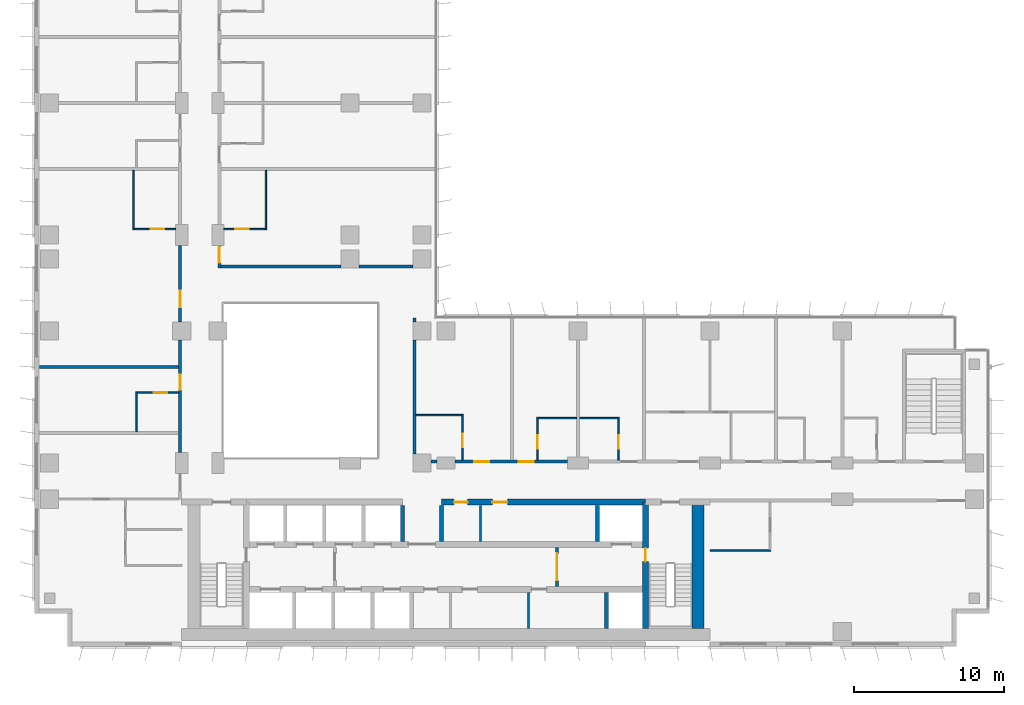
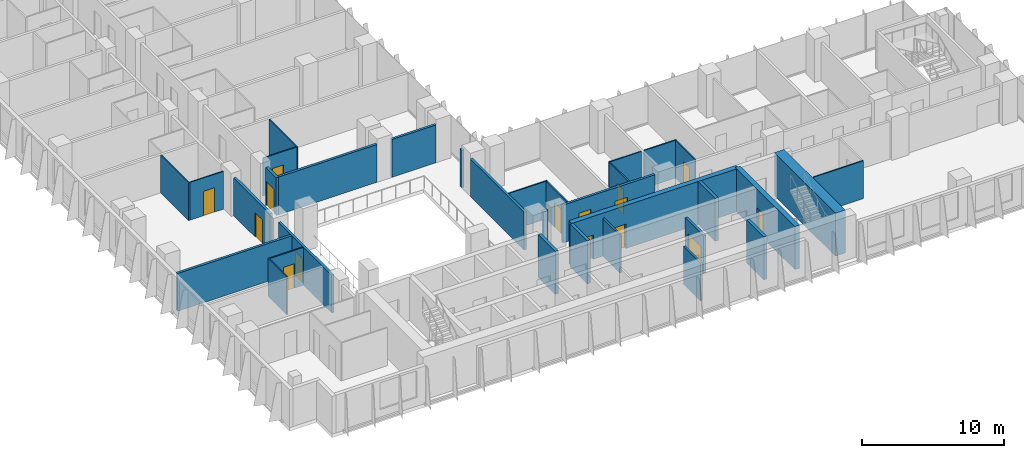
# One storey, part 13 of 22: 33 walls, 15 doors, 15 openings.
"""IFC4 building model written with IfcOpenShell, lengths in metres."""

import ifcopenshell
import ifcopenshell.guid

model = None  # the IFC model being written
_history = None  # IfcOwnerHistory: only IFC2X3 demands one
_inside = {}  # id of a spatial element -> (the spatial element, [elements in it])
_under = {}  # id of a project, library or spatial element -> (it, [spatial elements below it])
_declared = {}  # id of a project -> (the project, [libraries it declares])
_typed = {}  # id of a type object -> (the type object, [elements of that type])
_made_of = {}  # id of a material, layer set ... -> (it, [elements and type objects made of it])


def new_model(schema):
    """Start an empty IFC model of exactly this schema.

    Asked for "IFC4X3", IfcOpenShell would pick the latest addendum, in which some entities
    have other attributes; the version numbers below select the first issue.
    IFC2X3 requires an IfcOwnerHistory on every rooted entity: one is made here for all.
    """
    global model, _history
    if schema == "IFC4X3":
        model = ifcopenshell.file(schema_version=(4, 3, 0, 0))
    else:
        model = ifcopenshell.file(schema=schema)
    _inside.clear()
    _under.clear()
    _declared.clear()
    _typed.clear()
    _made_of.clear()
    _history = None
    if model.schema == "IFC2X3":
        org = make("IfcOrganization", Name="unknown")
        user = make(
            "IfcPersonAndOrganization",
            ThePerson=make("IfcPerson", FamilyName="unknown"),
            TheOrganization=org,
        )
        app = make(
            "IfcApplication",
            ApplicationDeveloper=org,
            Version="unknown",
            ApplicationFullName="unknown",
            ApplicationIdentifier="unknown",
        )
        _history = make(
            "IfcOwnerHistory",
            OwningUser=user,
            OwningApplication=app,
            ChangeAction="ADDED",
            CreationDate=0,
        )
    return model


def make(cls, **values):
    """One entity of the class cls with the attributes given. An attribute that is None is left unset."""
    return model.create_entity(
        cls, **{name: value for name, value in values.items() if value is not None}
    )


def rooted(cls, **values):
    """An entity with a GlobalId (a new one), such as an element, a storey or a relation."""
    return make(cls, GlobalId=ifcopenshell.guid.new(), OwnerHistory=_history, **values)


def si_unit(unit_type, name, prefix=None):
    """IfcSIUnit, for example si_unit("LENGTHUNIT", "METRE", prefix="MILLI")."""
    return make("IfcSIUnit", UnitType=unit_type, Prefix=prefix, Name=name)


def assignment(units):
    """IfcUnitAssignment: the units of a project."""
    return None if units is None else make("IfcUnitAssignment", Units=units)


def point(xyz):
    """IfcCartesianPoint."""
    return None if xyz is None else make("IfcCartesianPoint", Coordinates=xyz)


def direction(xyz):
    """IfcDirection."""
    return None if xyz is None else make("IfcDirection", DirectionRatios=xyz)


def frame(location, z_axis=None, x_axis=None):
    """IfcAxis2Placement3D, a coordinate frame: its origin and axes. An axis left out is left unset."""
    return make(
        "IfcAxis2Placement3D",
        Location=point(location),
        Axis=direction(z_axis),
        RefDirection=direction(x_axis),
    )


def frame_2d(location, x_axis=None):
    """IfcAxis2Placement2D, a coordinate frame in the plane: its origin and x axis."""
    return make(
        "IfcAxis2Placement2D", Location=point(location), RefDirection=direction(x_axis)
    )


def origin():
    """The frame at (0, 0, 0) with its axes left unset."""
    return frame((0.0, 0.0, 0.0))


def place(relative_to, where):
    """IfcLocalPlacement: puts the frame where relative to a parent placement (None: the world)."""
    return make(
        "IfcLocalPlacement", PlacementRelTo=relative_to, RelativePlacement=where
    )


def context(
    kind, dimensions, precision=None, world=None, true_north=None, identifier=None
):
    """IfcGeometricRepresentationContext, for example the 3D "Model" context."""
    return make(
        "IfcGeometricRepresentationContext",
        ContextIdentifier=identifier,
        ContextType=kind,
        CoordinateSpaceDimension=dimensions,
        Precision=precision,
        WorldCoordinateSystem=world,
        TrueNorth=true_north,
    )


def subcontext(parent, identifier, kind, view, scale=None):
    """IfcGeometricRepresentationSubContext, for example "Body" below "Model"."""
    return make(
        "IfcGeometricRepresentationSubContext",
        ContextIdentifier=identifier,
        ContextType=kind,
        ParentContext=parent,
        TargetScale=scale,
        TargetView=view,
    )


def project(units=None, contexts=None):
    """IfcProject with its units and contexts."""
    return rooted(
        "IfcProject",
        Name="project",
        RepresentationContexts=contexts,
        UnitsInContext=assignment(units),
    )


def spatial(cls, under=None, at=None, **own):
    """A site, building, storey or space (cls), placed at a placement, below another one or the project."""
    s = rooted(cls, ObjectPlacement=at, **own)
    if under is not None:
        _under.setdefault(under.id(), (under, []))[1].append(s)
    return s


def profile(cls, at=None, kind="AREA", **sizes):
    """A parametric profile (cls). Its sizes go by their IFC names, for example OverallWidth=200.0."""
    return make(cls, ProfileType=kind, Position=at, **sizes)


def rectangle(**sizes):
    """IfcRectangleProfileDef."""
    return profile("IfcRectangleProfileDef", **sizes)


def extrude(swept, where, along, depth):
    """IfcExtrudedAreaSolid: the profile swept, set in the frame where, extruded along a direction by depth."""
    return make(
        "IfcExtrudedAreaSolid",
        SweptArea=swept,
        Position=where,
        ExtrudedDirection=direction(along),
        Depth=depth,
    )


def shape(context_of_items, identifier, shape_type, items):
    """IfcShapeRepresentation: the items that make up one representation, for example the "Body"."""
    return make(
        "IfcShapeRepresentation",
        ContextOfItems=context_of_items,
        RepresentationIdentifier=identifier,
        RepresentationType=shape_type,
        Items=items,
    )


def material(Name=None, Category=None):
    """IfcMaterial."""
    return make("IfcMaterial", Name=Name, Category=Category)


def layer(
    of_material, thickness, ventilated=None, Name=None, Category=None, Priority=None
):
    """IfcMaterialLayer: one layer of a wall or slab, of a material (None: an air gap)."""
    return make(
        "IfcMaterialLayer",
        Material=of_material,
        LayerThickness=thickness,
        IsVentilated=ventilated,
        Name=Name,
        Category=Category,
        Priority=Priority,
    )


def layer_set(layers, Name=None):
    """IfcMaterialLayerSet."""
    return make("IfcMaterialLayerSet", MaterialLayers=layers, LayerSetName=Name)


def made_of(thing, what):
    """Note that an element or type object is made of a material, layer set ...; save() writes the relation."""
    if what is not None:
        _made_of.setdefault(what.id(), (what, []))[1].append(thing)
    return thing


def type_object(cls, material=None, **own):
    """A type object (cls), such as IfcWallType, which elements share."""
    return made_of(rooted(cls, **own), material)


def element(
    cls,
    number,
    at=None,
    inside=None,
    cuts=None,
    type_object=None,
    material=None,
    context=None,
    identifier="Body",
    shape_type=None,
    held_by="IfcProductDefinitionShape",
    body=None,
    shapes=None,
    **own,
):
    """One element of the class cls, such as IfcWall. Its Tag is "e" and its number.

    at: its placement. inside: the storey or other place that contains it. cuts: it is an
    opening in that element (IfcRelVoidsElement). A single representation is given by context,
    identifier, shape_type and body (its items); several are given by shapes. held_by: the class
    of the entity that holds the representations. save() writes the other relations.
    """
    e = rooted(cls, Tag="e%d" % number, ObjectPlacement=at, **own)
    if body is not None:
        shapes = [shape(context, identifier, shape_type, body)]
    if shapes is not None:
        e.Representation = make(held_by, Representations=shapes)
    if inside is not None:
        _inside.setdefault(inside.id(), (inside, []))[1].append(e)
    if cuts is not None:
        rooted(
            "IfcRelVoidsElement", RelatingBuildingElement=cuts, RelatedOpeningElement=e
        )
    if type_object is not None:
        _typed.setdefault(type_object.id(), (type_object, []))[1].append(e)
    return made_of(e, material)


def fill(opening, filler):
    """IfcRelFillsElement: the door or window that sits in an opening."""
    return rooted(
        "IfcRelFillsElement",
        RelatingOpeningElement=opening,
        RelatedBuildingElement=filler,
    )


def aggregate(whole, parts):
    """IfcRelAggregates: a whole, such as a stair, and the parts it consists of."""
    return rooted("IfcRelAggregates", RelatingObject=whole, RelatedObjects=parts)


def save(model, path):
    """Write the relations noted so far, then the file.

    IfcRelAggregates (storeys below a building ...), IfcRelContainedInSpatialStructure (elements
    in a storey), IfcRelDefinesByType, IfcRelAssociatesMaterial and IfcRelDeclares: one each for
    every whole, place, type object, material and project.
    """
    for whole, parts in _under.values():
        aggregate(whole, parts)
    for where, things in _inside.values():
        rooted(
            "IfcRelContainedInSpatialStructure",
            RelatedElements=things,
            RelatingStructure=where,
        )
    for kind, things in _typed.values():
        rooted("IfcRelDefinesByType", RelatedObjects=things, RelatingType=kind)
    for what, things in _made_of.values():
        rooted("IfcRelAssociatesMaterial", RelatedObjects=things, RelatingMaterial=what)
    for by, libraries in _declared.values():
        rooted("IfcRelDeclares", RelatingContext=by, RelatedDefinitions=libraries)
    model.write(path)


model = new_model("IFC4")

# Units and contexts
model_context = context("Model", 3, precision=1e-05, world=origin(), true_north=direction((0.0, 1.0)))
body_context = subcontext(model_context, "Body", "Model", "MODEL_VIEW")
ifc_project = project(units=[si_unit("LENGTHUNIT", "METRE"), si_unit("AREAUNIT", "SQUARE_METRE"), si_unit("VOLUMEUNIT", "CUBIC_METRE"), si_unit("PLANEANGLEUNIT", "RADIAN"), si_unit("MASSUNIT", "GRAM", prefix="KILO")], contexts=[model_context])

# Site, building, storey
site_placement = place(None, origin())
site = spatial("IfcSite", under=ifc_project, at=site_placement, CompositionType="ELEMENT")
building_placement = place(site_placement, origin())
building = spatial("IfcBuilding", under=site, at=building_placement, Name="Kemantara Hotel Tower", CompositionType="ELEMENT")
storey_placement = place(building_placement, frame((0.0, 0.0, 129.60009765625)))
storey = spatial("IfcBuildingStorey", under=building, at=storey_placement, Name="L31", CompositionType="ELEMENT", Elevation=129.60009765625)

# Walls
ifc_material_1 = material(Name="Concrete fc 70 MPa", Category="concrete")
ifc_layer_1 = layer(ifc_material_1, 0.25)
ifc_layer_set_1 = layer_set([ifc_layer_1], Name="Concrete fc 70 MPa")
wall_type_1 = type_object("IfcWallType", Name="CORE WALL 250 FC70", PredefinedType="SHEAR", material=ifc_layer_set_1)
wall_1_placement = place(storey_placement, frame((38.10009765625, 1.199951171875, 0.0), z_axis=(0.0, 0.0, 1.0), x_axis=(0.0, 1.0, 0.0)))
element("IfcWall", 1, at=wall_1_placement, inside=storey, type_object=wall_type_1, Name="CORE WALL CW-DS38.1", PredefinedType="SHEAR", context=body_context, shape_type="SweptSolid", body=[
    extrude(rectangle(XDim=2.400146484375, YDim=0.25, at=frame_2d((1.2001953125, 0.0))), origin(), (0.0, 0.0, 1.0), 3.699951171875),
])
for number, where, z_axis, x_axis, name in (
    (2, (24.5, 7.0, 0.0), (0.0, 0.0, 1.0), (0.0, 1.0, 0.0), "CORE WALL CW-DN24.5"),
    (3, (27.10009765625, 7.0, 0.0), (0.0, 0.0, 1.0), (0.0, 1.0, 0.0), "CORE WALL CW-DN27.1"),
    (4, (37.5, 7.0, 0.0), (0.0, 0.0, 1.0), (0.0, 1.0, 0.0), "CORE WALL CW-DN37.5"),
):
    element("IfcWall", number, at=place(storey_placement, frame(where, z_axis=z_axis, x_axis=x_axis)), inside=storey, type_object=wall_type_1, Name=name, PredefinedType="SHEAR", context=body_context, shape_type="SweptSolid", body=[
        extrude(rectangle(XDim=2.39990234375, YDim=0.25, at=frame_2d((1.199951171875, 0.0))), origin(), (0.0, 0.0, 1.0), 3.699951171875),
    ])

# Wall, openings, doors
ifc_layer_2 = layer(ifc_material_1, 0.39990234375)
ifc_layer_set_2 = layer_set([ifc_layer_2], Name="Concrete fc 70 MPa")
wall_type_2 = type_object("IfcWallType", Name="CORE WALL 400 FC70", PredefinedType="SHEAR", material=ifc_layer_set_2)
wall_2_placement = place(storey_placement, frame((27.10009765625, 9.60009765625, 0.0), z_axis=(0.0, 0.0, 1.0), x_axis=(1.0, 0.0, 0.0)))
wall_2 = element("IfcWall", 5, at=wall_2_placement, inside=storey, type_object=wall_type_2, Name="CORE WALL CW-NN2", PredefinedType="SHEAR", context=body_context, shape_type="SweptSolid", body=[
    extrude(rectangle(XDim=13.599853515625, YDim=0.39990234375, at=frame_2d((6.7998046875, 0.0))), origin(), (0.0, 0.0, 1.0), 3.699951171875),
])
opening_1_placement = place(wall_2_placement, frame((0.85009765625, 0.0, 0.0)))
opening_1 = element("IfcOpeningElement", 6, at=opening_1_placement, cuts=wall_2, Name="Opening C20-R-NE1", PredefinedType="OPENING", context=body_context, shape_type="SweptSolid", body=[
    extrude(rectangle(XDim=0.89990234375, YDim=2.10009765625, at=frame_2d((0.449951171875, 1.050048828125))), frame((0.0, 0.2099609375, 0.0), z_axis=(0.0, -1.0, 0.0), x_axis=(1.0, 0.0, 0.0)), (0.0, 0.0, 1.0), 0.419921875),
])
opening_2_placement = place(wall_2_placement, frame((3.39990234375, 0.0, 0.0)))
opening_2 = element("IfcOpeningElement", 7, at=opening_2_placement, cuts=wall_2, Name="Opening C20-R-NE2", PredefinedType="OPENING", context=body_context, shape_type="SweptSolid", body=[
    extrude(rectangle(XDim=1.0, YDim=2.10009765625, at=frame_2d((0.5, 1.050048828125))), frame((0.0, 0.2099609375, 0.0), z_axis=(0.0, -1.0, 0.0), x_axis=(1.0, 0.0, 0.0)), (0.0, 0.0, 1.0), 0.419921875),
])
ifc_material_2 = material(Name="Steel fire door", Category="steel")
door_type_1 = type_object("IfcDoorType", Name="Fire door FD30S 1000 x 2100", OperationType="NOTDEFINED", PredefinedType="DOOR", material=ifc_material_2)
door_1_placement = place(opening_2_placement, frame((1.0, 0.0, 0.0), z_axis=(0.0, 0.0, 1.0), x_axis=(-1.0, 0.0, 0.0)))
door_1 = element("IfcDoor", 8, at=door_1_placement, inside=storey, type_object=door_type_1, Name="Linen Store door", OperationType="SINGLE_SWING_RIGHT", OverallHeight=2.10009765625, OverallWidth=1.0, PredefinedType="DOOR", context=body_context, shape_type="SweptSolid", body=[
    extrude(rectangle(XDim=1.0, YDim=2.10009765625, at=frame_2d((0.5, 1.050048828125))), frame((0.0, 0.02490234375, 0.0), z_axis=(0.0, -1.0, 0.0), x_axis=(1.0, 0.0, 0.0)), (0.0, 0.0, 1.0), 0.050048828125),
])
fill(opening_2, door_1)
door_type_2 = type_object("IfcDoorType", Name="Fire door FD30S 900 x 2100", OperationType="NOTDEFINED", PredefinedType="DOOR", material=ifc_material_2)
door_2_placement = place(opening_1_placement, frame((0.89990234375, 0.0, 0.0), z_axis=(0.0, 0.0, 1.0), x_axis=(-1.0, 0.0, 0.0)))
door_2 = element("IfcDoor", 9, at=door_2_placement, inside=storey, type_object=door_type_2, Name="Staff Wc door", OperationType="SINGLE_SWING_RIGHT", OverallHeight=2.10009765625, OverallWidth=0.89990234375, PredefinedType="DOOR", context=body_context, shape_type="SweptSolid", body=[
    extrude(rectangle(XDim=0.89990234375, YDim=2.10009765625, at=frame_2d((0.449951171875, 1.050048828125))), frame((0.0, 0.02490234375, 0.0), z_axis=(0.0, -1.0, 0.0), x_axis=(1.0, 0.0, 0.0)), (0.0, 0.0, 1.0), 0.050048828125),
])
fill(opening_1, door_2)

# Wall, opening, door
wall_3_placement = place(storey_placement, frame((40.699951171875, 1.199951171875, 0.0), z_axis=(0.0, 0.0, 1.0), x_axis=(0.0, 1.0, 0.0)))
wall_3 = element("IfcWall", 10, at=wall_3_placement, inside=storey, type_object=wall_type_2, Name="CORE WALL CW-ST2W", PredefinedType="SHEAR", context=body_context, shape_type="SweptSolid", body=[
    extrude(rectangle(XDim=8.400146484375, YDim=0.39990234375, at=frame_2d((4.2001953125, 0.0))), origin(), (0.0, 0.0, 1.0), 3.699951171875),
])
opening_3_placement = place(wall_3_placement, frame((4.449951171875, 0.0, 0.0)))
opening_3 = element("IfcOpeningElement", 11, at=opening_3_placement, cuts=wall_3, Name="Opening C20-ST2-F", PredefinedType="OPENING", context=body_context, shape_type="SweptSolid", body=[
    extrude(rectangle(XDim=0.89990234375, YDim=2.10009765625, at=frame_2d((0.449951171875, 1.050048828125))), frame((0.0, 0.2099609375, 0.0), z_axis=(0.0, -1.0, 0.0), x_axis=(1.0, 0.0, 0.0)), (0.0, 0.0, 1.0), 0.419921875),
])
door_type_3 = type_object("IfcDoorType", Name="Fire door FD90 900 x 2100", OperationType="NOTDEFINED", PredefinedType="DOOR", material=ifc_material_2)
door_3_placement = place(opening_3_placement, frame((0.89990234375, 0.0, 0.0), z_axis=(0.0, 0.0, 1.0), x_axis=(-1.0, 0.0, 0.0)))
door_3 = element("IfcDoor", 12, at=door_3_placement, inside=storey, type_object=door_type_3, Name="Stair ST2 door to firefighting lobby", OperationType="SINGLE_SWING_LEFT", OverallHeight=2.10009765625, OverallWidth=0.89990234375, PredefinedType="DOOR", context=body_context, shape_type="SweptSolid", body=[
    extrude(rectangle(XDim=0.89990234375, YDim=2.10009765625, at=frame_2d((0.449951171875, 1.050048828125))), frame((0.0, 0.02490234375, 0.0), z_axis=(0.0, -1.0, 0.0), x_axis=(1.0, 0.0, 0.0)), (0.0, 0.0, 1.0), 0.050048828125),
])
fill(opening_3, door_3)

# Walls
ifc_layer_3 = layer(ifc_material_1, 0.800048828125)
ifc_layer_set_3 = layer_set([ifc_layer_3], Name="Concrete fc 70 MPa")
wall_type_3 = type_object("IfcWallType", Name="CORE WALL 800 FC70", PredefinedType="SHEAR", material=ifc_layer_set_3)
wall_4_placement = place(storey_placement, frame((44.199951171875, 1.199951171875, 0.0), z_axis=(0.0, 0.0, 1.0), x_axis=(0.0, 1.0, 0.0)))
element("IfcWall", 13, at=wall_4_placement, inside=storey, type_object=wall_type_3, Name="CORE WALL CW-E", PredefinedType="SHEAR", context=body_context, shape_type="SweptSolid", body=[
    extrude(rectangle(XDim=8.60009765625, YDim=0.800048828125, at=frame_2d((4.300048828125, 0.0))), origin(), (0.0, 0.0, 1.0), 3.699951171875),
])
ifc_material_3 = material(Name="Gypsum board partition, steel studs and mineral wool, 200 mm", Category="steel")
ifc_layer_4 = layer(ifc_material_3, 0.199951171875)
ifc_layer_set_4 = layer_set([ifc_layer_4], Name="Gypsum board partition, steel studs and mineral wool, 200 mm")
wall_type_4 = type_object("IfcWallType", Name="CORRIDOR WALL 200", PredefinedType="PARTITIONING", material=ifc_layer_set_4)
wall_5_placement = place(storey_placement, frame((26.400146484375, 12.300048828125, 0.0), z_axis=(0.0, 0.0, 1.0), x_axis=(1.0, 0.0, 0.0)))
element("IfcWall", 14, at=wall_5_placement, inside=storey, type_object=wall_type_4, Name="CORRIDOR WALL 200 003", PredefinedType="PARTITIONING", context=body_context, shape_type="SweptSolid", body=[
    extrude(rectangle(XDim=0.399658203125, YDim=0.199951171875, at=frame_2d((0.19970703125, 0.0))), origin(), (0.0, 0.0, 1.0), 3.25),
])

# Wall, openings, doors
wall_6_placement = place(storey_placement, frame((28.0, 12.300048828125, 0.0), z_axis=(0.0, 0.0, 1.0), x_axis=(1.0, 0.0, 0.0)))
wall_6 = element("IfcWall", 15, at=wall_6_placement, inside=storey, type_object=wall_type_4, Name="CORRIDOR WALL 200 004", PredefinedType="PARTITIONING", context=body_context, shape_type="SweptSolid", body=[
    extrude(rectangle(XDim=7.5, YDim=0.199951171875, at=frame_2d((3.75, 0.0))), origin(), (0.0, 0.0, 1.0), 3.25),
])
opening_4_placement = place(wall_6_placement, frame((1.2998046875, 0.0, 0.0)))
opening_4 = element("IfcOpeningElement", 16, at=opening_4_placement, cuts=wall_6, Name="Opening F14-003", PredefinedType="OPENING", context=body_context, shape_type="SweptSolid", body=[
    extrude(rectangle(XDim=1.0, YDim=2.10009765625, at=frame_2d((0.5, 1.050048828125))), frame((0.0, 0.10986328125, 0.0), z_axis=(0.0, -1.0, 0.0), x_axis=(1.0, 0.0, 0.0)), (0.0, 0.0, 1.0), 0.219970703125),
])
opening_5_placement = place(wall_6_placement, frame((4.25, 0.0, 0.0)))
opening_5 = element("IfcOpeningElement", 17, at=opening_5_placement, cuts=wall_6, Name="Opening F14-005", PredefinedType="OPENING", context=body_context, shape_type="SweptSolid", body=[
    extrude(rectangle(XDim=1.0, YDim=2.10009765625, at=frame_2d((0.5, 1.050048828125))), frame((0.0, 0.10986328125, 0.0), z_axis=(0.0, -1.0, 0.0), x_axis=(1.0, 0.0, 0.0)), (0.0, 0.0, 1.0), 0.219970703125),
])
ifc_material_4 = material(Name="Hardwood veneer door leaf with steel frame", Category="steel")
door_type_4 = type_object("IfcDoorType", Name="GUEST ROOM DOOR 1000 X 2100 FD30S", OperationType="NOTDEFINED", PredefinedType="DOOR", material=ifc_material_4)
door_4_placement = place(opening_4_placement, origin())
door_4 = element("IfcDoor", 18, at=door_4_placement, inside=storey, type_object=door_type_4, Name="GUEST ROOM DOOR F14-003", OperationType="SINGLE_SWING_RIGHT", OverallHeight=2.10009765625, OverallWidth=1.0, PredefinedType="DOOR", context=body_context, shape_type="SweptSolid", body=[
    extrude(rectangle(XDim=1.0, YDim=2.10009765625, at=frame_2d((0.5, 1.050048828125))), frame((0.0, 0.02490234375, 0.0), z_axis=(0.0, -1.0, 0.0), x_axis=(1.0, 0.0, 0.0)), (0.0, 0.0, 1.0), 0.050048828125),
])
fill(opening_4, door_4)
door_5_placement = place(opening_5_placement, origin())
door_5 = element("IfcDoor", 19, at=door_5_placement, inside=storey, type_object=door_type_4, Name="GUEST ROOM DOOR F14-005", OperationType="SINGLE_SWING_LEFT", OverallHeight=2.10009765625, OverallWidth=1.0, PredefinedType="DOOR", context=body_context, shape_type="SweptSolid", body=[
    extrude(rectangle(XDim=1.0, YDim=2.10009765625, at=frame_2d((0.5, 1.050048828125))), frame((0.0, 0.02490234375, 0.0), z_axis=(0.0, -1.0, 0.0), x_axis=(1.0, 0.0, 0.0)), (0.0, 0.0, 1.0), 0.050048828125),
])
fill(opening_5, door_5)

# Wall, opening, door
wall_7_placement = place(storey_placement, frame((9.699951171875, 12.900146484375, 0.0), z_axis=(0.0, 0.0, 1.0), x_axis=(0.0, 1.0, 0.0)))
wall_7 = element("IfcWall", 20, at=wall_7_placement, inside=storey, type_object=wall_type_4, Name="CORRIDOR WALL 200 016", PredefinedType="PARTITIONING", context=body_context, shape_type="SweptSolid", body=[
    extrude(rectangle(XDim=7.499755859375, YDim=0.199951171875, at=frame_2d((3.75, 0.0))), origin(), (0.0, 0.0, 1.0), 3.25),
])
opening_6_placement = place(wall_7_placement, frame((4.199951171875, 0.0, 0.0)))
opening_6 = element("IfcOpeningElement", 21, at=opening_6_placement, cuts=wall_7, Name="Opening F14-021", PredefinedType="OPENING", context=body_context, shape_type="SweptSolid", body=[
    extrude(rectangle(XDim=1.0, YDim=2.10009765625, at=frame_2d((0.5, 1.050048828125))), frame((0.0, 0.10986328125, 0.0), z_axis=(0.0, -1.0, 0.0), x_axis=(1.0, 0.0, 0.0)), (0.0, 0.0, 1.0), 0.219970703125),
])
door_6_placement = place(opening_6_placement, origin())
door_6 = element("IfcDoor", 22, at=door_6_placement, inside=storey, type_object=door_type_4, Name="GUEST ROOM DOOR F14-021", OperationType="SINGLE_SWING_RIGHT", OverallHeight=2.10009765625, OverallWidth=1.0, PredefinedType="DOOR", context=body_context, shape_type="SweptSolid", body=[
    extrude(rectangle(XDim=1.0, YDim=2.10009765625, at=frame_2d((0.5, 1.050048828125))), frame((0.0, 0.02490234375, 0.0), z_axis=(0.0, -1.0, 0.0), x_axis=(1.0, 0.0, 0.0)), (0.0, 0.0, 1.0), 0.050048828125),
])
fill(opening_6, door_6)

wall_8_placement = place(storey_placement, frame((9.699951171875, 21.60009765625, 0.0), z_axis=(0.0, 0.0, 1.0), x_axis=(0.0, 1.0, 0.0)))
wall_8 = element("IfcWall", 23, at=wall_8_placement, inside=storey, type_object=wall_type_4, Name="CORRIDOR WALL 200 017", PredefinedType="PARTITIONING", context=body_context, shape_type="SweptSolid", body=[
    extrude(rectangle(XDim=5.099853515625, YDim=0.199951171875, at=frame_2d((2.5498046875, 0.0))), origin(), (0.0, 0.0, 1.0), 3.25),
])
opening_7_placement = place(wall_8_placement, frame((1.0, 0.0, 0.0)))
opening_7 = element("IfcOpeningElement", 24, at=opening_7_placement, cuts=wall_8, Name="Opening F14-023", PredefinedType="OPENING", context=body_context, shape_type="SweptSolid", body=[
    extrude(rectangle(XDim=1.10009765625, YDim=2.10009765625, at=frame_2d((0.550048828125, 1.050048828125))), frame((0.0, 0.10986328125, 0.0), z_axis=(0.0, -1.0, 0.0), x_axis=(1.0, 0.0, 0.0)), (0.0, 0.0, 1.0), 0.219970703125),
])
door_type_5 = type_object("IfcDoorType", Name="SUITE ENTRANCE DOOR 1100 X 2100 FD30S", OperationType="NOTDEFINED", PredefinedType="DOOR", material=ifc_material_4)
door_7_placement = place(opening_7_placement, origin())
door_7 = element("IfcDoor", 25, at=door_7_placement, inside=storey, type_object=door_type_5, Name="SUITE ENTRANCE DOOR F14-023", OperationType="SINGLE_SWING_LEFT", OverallHeight=2.10009765625, OverallWidth=1.10009765625, PredefinedType="DOOR", context=body_context, shape_type="SweptSolid", body=[
    extrude(rectangle(XDim=1.10009765625, YDim=2.10009765625, at=frame_2d((0.550048828125, 1.050048828125))), frame((0.0, 0.02490234375, 0.0), z_axis=(0.0, -1.0, 0.0), x_axis=(1.0, 0.0, 0.0)), (0.0, 0.0, 1.0), 0.050048828125),
])
fill(opening_7, door_7)

wall_9_placement = place(storey_placement, frame((12.300048828125, 26.699951171875, 0.0), z_axis=(0.0, 0.0, 1.0), x_axis=(0.0, -1.0, 0.0)))
wall_9 = element("IfcWall", 26, at=wall_9_placement, inside=storey, type_object=wall_type_4, Name="CORRIDOR WALL 200 043", PredefinedType="PARTITIONING", context=body_context, shape_type="SweptSolid", body=[
    extrude(rectangle(XDim=1.5, YDim=0.199951171875, at=frame_2d((0.75, 0.0))), origin(), (0.0, 0.0, 1.0), 3.25),
])
opening_8_placement = place(wall_9_placement, frame((0.0498046875, 0.0, 0.0)))
opening_8 = element("IfcOpeningElement", 27, at=opening_8_placement, cuts=wall_9, Name="Opening F14-043", PredefinedType="OPENING", context=body_context, shape_type="SweptSolid", body=[
    extrude(rectangle(XDim=1.10009765625, YDim=2.10009765625, at=frame_2d((0.550048828125, 1.050048828125))), frame((0.0, 0.10986328125, 0.0), z_axis=(0.0, -1.0, 0.0), x_axis=(1.0, 0.0, 0.0)), (0.0, 0.0, 1.0), 0.219970703125),
])
door_8_placement = place(opening_8_placement, origin())
door_8 = element("IfcDoor", 28, at=door_8_placement, inside=storey, type_object=door_type_5, Name="SUITE ENTRANCE DOOR F14-043", OperationType="SINGLE_SWING_RIGHT", OverallHeight=2.10009765625, OverallWidth=1.10009765625, PredefinedType="DOOR", context=body_context, shape_type="SweptSolid", body=[
    extrude(rectangle(XDim=1.10009765625, YDim=2.10009765625, at=frame_2d((0.550048828125, 1.050048828125))), frame((0.0, 0.02490234375, 0.0), z_axis=(0.0, -1.0, 0.0), x_axis=(1.0, 0.0, 0.0)), (0.0, 0.0, 1.0), 0.050048828125),
])
fill(opening_8, door_8)

# Walls
ifc_layer_5 = layer(ifc_material_3, 0.199951171875)
ifc_layer_set_5 = layer_set([ifc_layer_5], Name="Gypsum board partition, steel studs and mineral wool, 200 mm")
wall_type_5 = type_object("IfcWallType", Name="GUEST ROOM PARTY WALL 200", PredefinedType="PARTITIONING", material=ifc_layer_set_5)
wall_10_placement = place(storey_placement, frame((25.300048828125, 12.800048828125, 0.0), z_axis=(0.0, 0.0, 1.0), x_axis=(0.0, 1.0, 0.0)))
element("IfcWall", 29, at=wall_10_placement, inside=storey, type_object=wall_type_5, Name="GUEST ROOM PARTY WALL 200 008", PredefinedType="PARTITIONING", context=body_context, shape_type="SweptSolid", body=[
    extrude(rectangle(XDim=7.599853515625, YDim=0.199951171875, at=frame_2d((3.7998046875, 0.0))), origin(), (0.0, 0.0, 1.0), 3.25),
])
wall_11_placement = place(storey_placement, frame((25.300048828125, 21.60009765625, 0.0), z_axis=(0.0, 0.0, 1.0), x_axis=(0.0, 1.0, 0.0)))
element("IfcWall", 30, at=wall_11_placement, inside=storey, type_object=wall_type_5, Name="GUEST ROOM PARTY WALL 200 009", PredefinedType="PARTITIONING", context=body_context, shape_type="SweptSolid", body=[
    extrude(rectangle(XDim=0.27001953125, YDim=0.199951171875, at=frame_2d((0.135009765625, 0.0))), origin(), (0.0, 0.0, 1.0), 3.25),
])
wall_12_placement = place(storey_placement, frame((0.31005859375, 18.60009765625, 0.0), z_axis=(0.0, 0.0, 1.0), x_axis=(1.0, 0.0, 0.0)))
element("IfcWall", 31, at=wall_12_placement, inside=storey, type_object=wall_type_5, Name="GUEST ROOM PARTY WALL 200 025", PredefinedType="PARTITIONING", context=body_context, shape_type="SweptSolid", body=[
    extrude(rectangle(XDim=9.2900390625, YDim=0.199951171875, at=frame_2d((4.64501953125, 0.0))), origin(), (0.0, 0.0, 1.0), 3.25),
])
wall_13_placement = place(storey_placement, frame((12.39990234375, 25.300048828125, 0.0), z_axis=(0.0, 0.0, 1.0), x_axis=(1.0, 0.0, 0.0)))
element("IfcWall", 32, at=wall_13_placement, inside=storey, type_object=wall_type_5, Name="GUEST ROOM PARTY WALL 200 050", PredefinedType="PARTITIONING", context=body_context, shape_type="SweptSolid", body=[
    extrude(rectangle(XDim=8.0, YDim=0.199951171875, at=frame_2d((4.0, 0.0))), origin(), (0.0, 0.0, 1.0), 3.25),
])
wall_14_placement = place(storey_placement, frame((21.60009765625, 25.300048828125, 0.0), z_axis=(0.0, 0.0, 1.0), x_axis=(1.0, 0.0, 0.0)))
element("IfcWall", 33, at=wall_14_placement, inside=storey, type_object=wall_type_5, Name="GUEST ROOM PARTY WALL 200 051", PredefinedType="PARTITIONING", context=body_context, shape_type="SweptSolid", body=[
    extrude(rectangle(XDim=3.599853515625, YDim=0.199951171875, at=frame_2d((1.7998046875, 0.0))), origin(), (0.0, 0.0, 1.0), 3.25),
])
ifc_material_5 = material(Name="Gypsum board partition")
ifc_layer_6 = layer(ifc_material_5, 0.14990234375)
ifc_layer_set_6 = layer_set([ifc_layer_6], Name="Gypsum board partition")
wall_type_6 = type_object("IfcWallType", Name="Gypsum board partition 150 mm", PredefinedType="PARTITIONING", material=ifc_layer_set_6)
wall_15_placement = place(storey_placement, frame((29.699951171875, 7.0, 0.0), z_axis=(0.0, 0.0, 1.0), x_axis=(0.0, 1.0, 0.0)))
element("IfcWall", 34, at=wall_15_placement, inside=storey, type_object=wall_type_6, Name="Core room partition", PredefinedType="PARTITIONING", context=body_context, shape_type="SweptSolid", body=[
    extrude(rectangle(XDim=2.39990234375, YDim=0.14990234375, at=frame_2d((1.199951171875, 0.0))), origin(), (0.0, 0.0, 1.0), 3.25),
])
wall_16_placement = place(storey_placement, frame((32.89990234375, 1.199951171875, 0.0), z_axis=(0.0, 0.0, 1.0), x_axis=(0.0, 1.0, 0.0)))
element("IfcWall", 35, at=wall_16_placement, inside=storey, type_object=wall_type_6, Name="Core room partition", PredefinedType="PARTITIONING", context=body_context, shape_type="SweptSolid", body=[
    extrude(rectangle(XDim=2.400146484375, YDim=0.14990234375, at=frame_2d((1.2001953125, 0.0))), origin(), (0.0, 0.0, 1.0), 3.25),
])

# Wall, opening, door
ifc_material_6 = material(Name="Gypsum board shaft wall")
ifc_layer_7 = layer(ifc_material_6, 0.199951171875)
ifc_layer_set_7 = layer_set([ifc_layer_7], Name="Gypsum board shaft wall")
wall_type_7 = type_object("IfcWallType", Name="Gypsum board shaft wall 200 mm", PredefinedType="PARTITIONING", material=ifc_layer_set_7)
wall_17_placement = place(storey_placement, frame((34.800048828125, 4.0, 0.0), z_axis=(0.0, 0.0, 1.0), x_axis=(0.0, 1.0, 0.0)))
wall_17 = element("IfcWall", 36, at=wall_17_placement, inside=storey, type_object=wall_type_7, Name="Firefighting lobby partition east", PredefinedType="PARTITIONING", context=body_context, shape_type="SweptSolid", body=[
    extrude(rectangle(XDim=2.60009765625, YDim=0.199951171875, at=frame_2d((1.300048828125, 0.0))), origin(), (0.0, 0.0, 1.0), 3.25),
])
opening_9_placement = place(wall_17_placement, frame((0.39990234375, 0.0, 0.0)))
opening_9 = element("IfcOpeningElement", 37, at=opening_9_placement, cuts=wall_17, Name="Opening C20-FFE", PredefinedType="OPENING", context=body_context, shape_type="SweptSolid", body=[
    extrude(rectangle(XDim=1.800048828125, YDim=2.10009765625, at=frame_2d((0.89990234375, 1.050048828125))), frame((0.0, 0.10986328125, 0.0), z_axis=(0.0, -1.0, 0.0), x_axis=(1.0, 0.0, 0.0)), (0.0, 0.0, 1.0), 0.219970703125),
])
door_type_6 = type_object("IfcDoorType", Name="Fire door pair FD60 1800 x 2100", OperationType="DOUBLE_DOOR_SINGLE_SWING", PredefinedType="DOOR", material=ifc_material_2)
door_9_placement = place(opening_9_placement, frame((1.800048828125, 0.0, 0.0), z_axis=(0.0, 0.0, 1.0), x_axis=(-1.0, 0.0, 0.0)))
door_9 = element("IfcDoor", 38, at=door_9_placement, inside=storey, type_object=door_type_6, Name="Firefighting lobby door east", OperationType="DOUBLE_DOOR_SINGLE_SWING", OverallHeight=2.10009765625, OverallWidth=1.800048828125, PredefinedType="DOOR", context=body_context, shape_type="SweptSolid", body=[
    extrude(rectangle(XDim=1.800048828125, YDim=2.10009765625, at=frame_2d((0.89990234375, 1.050048828125))), frame((0.0, 0.02490234375, 0.0), z_axis=(0.0, -1.0, 0.0), x_axis=(1.0, 0.0, 0.0)), (0.0, 0.0, 1.0), 0.050048828125),
])
fill(opening_9, door_9)

# Walls
ifc_material_7 = material(Name="Gypsum board partition on steel studs, 100 mm", Category="steel")
ifc_layer_8 = layer(ifc_material_7, 0.10009765625)
ifc_layer_set_8 = layer_set([ifc_layer_8], Name="Gypsum board partition on steel studs, 100 mm")
wall_type_8 = type_object("IfcWallType", Name="ROOM PARTITION 100", PredefinedType="PARTITIONING", material=ifc_layer_set_8)
wall_18_placement = place(storey_placement, frame((45.0, 6.39990234375, 0.0), z_axis=(0.0, 0.0, 1.0), x_axis=(1.0, 0.0, 0.0)))
element("IfcWall", 39, at=wall_18_placement, inside=storey, type_object=wall_type_8, Name="ROOM PARTITION 100 055", PredefinedType="PARTITIONING", context=body_context, shape_type="SweptSolid", body=[
    extrude(rectangle(XDim=4.050048828125, YDim=0.10009765625, at=frame_2d((2.02490234375, 0.0))), origin(), (0.0, 0.0, 1.0), 3.25),
])
wall_19_placement = place(storey_placement, frame((25.39990234375, 15.39990234375, 0.0), z_axis=(0.0, 0.0, 1.0), x_axis=(1.0, 0.0, 0.0)))
element("IfcWall", 40, at=wall_19_placement, inside=storey, type_object=wall_type_8, Name="ROOM PARTITION 100 057", PredefinedType="PARTITIONING", context=body_context, shape_type="SweptSolid", body=[
    extrude(rectangle(XDim=3.150146484375, YDim=0.10009765625, at=frame_2d((1.5751953125, 0.0))), origin(), (0.0, 0.0, 1.0), 3.25),
])

# Wall, opening, door
wall_20_placement = place(storey_placement, frame((28.5, 12.39990234375, 0.0), z_axis=(0.0, 0.0, 1.0), x_axis=(0.0, 1.0, 0.0)))
wall_20 = element("IfcWall", 41, at=wall_20_placement, inside=storey, type_object=wall_type_8, Name="ROOM PARTITION 100 058", PredefinedType="PARTITIONING", context=body_context, shape_type="SweptSolid", body=[
    extrude(rectangle(XDim=2.9501953125, YDim=0.10009765625, at=frame_2d((1.47509765625, 0.0))), origin(), (0.0, 0.0, 1.0), 3.25),
])
opening_10_placement = place(wall_20_placement, frame((0.85009765625, 0.0, 0.0)))
opening_10 = element("IfcOpeningElement", 42, at=opening_10_placement, cuts=wall_20, Name="Opening F14-004", PredefinedType="OPENING", context=body_context, shape_type="SweptSolid", body=[
    extrude(rectangle(XDim=0.89990234375, YDim=2.10009765625, at=frame_2d((0.449951171875, 1.050048828125))), frame((0.0, 0.06005859375, 0.0), z_axis=(0.0, -1.0, 0.0), x_axis=(1.0, 0.0, 0.0)), (0.0, 0.0, 1.0), 0.1201171875),
])
door_type_7 = type_object("IfcDoorType", Name="BATHROOM DOOR 900 X 2100", OperationType="NOTDEFINED", PredefinedType="DOOR", material=ifc_material_4)
door_10_placement = place(opening_10_placement, origin())
door_10 = element("IfcDoor", 43, at=door_10_placement, inside=storey, type_object=door_type_7, Name="BATHROOM DOOR F14-004", OperationType="SINGLE_SWING_LEFT", OverallHeight=2.10009765625, OverallWidth=0.89990234375, PredefinedType="DOOR", context=body_context, shape_type="SweptSolid", body=[
    extrude(rectangle(XDim=0.89990234375, YDim=2.10009765625, at=frame_2d((0.449951171875, 1.050048828125))), frame((0.0, 0.02490234375, 0.0), z_axis=(0.0, -1.0, 0.0), x_axis=(1.0, 0.0, 0.0)), (0.0, 0.0, 1.0), 0.050048828125),
])
fill(opening_10, door_10)

# Walls
wall_21_placement = place(storey_placement, frame((33.449951171875, 15.199951171875, 0.0), z_axis=(0.0, 0.0, 1.0), x_axis=(1.0, 0.0, 0.0)))
element("IfcWall", 44, at=wall_21_placement, inside=storey, type_object=wall_type_8, Name="ROOM PARTITION 100 059", PredefinedType="PARTITIONING", context=body_context, shape_type="SweptSolid", body=[
    extrude(rectangle(XDim=2.650146484375, YDim=0.10009765625, at=frame_2d((1.3251953125, 0.0))), origin(), (0.0, 0.0, 1.0), 3.25),
])
wall_22_placement = place(storey_placement, frame((36.300048828125, 15.199951171875, 0.0), z_axis=(0.0, 0.0, 1.0), x_axis=(1.0, 0.0, 0.0)))
element("IfcWall", 45, at=wall_22_placement, inside=storey, type_object=wall_type_8, Name="ROOM PARTITION 100 060", PredefinedType="PARTITIONING", context=body_context, shape_type="SweptSolid", body=[
    extrude(rectangle(XDim=2.64990234375, YDim=0.10009765625, at=frame_2d((1.324951171875, 0.0))), origin(), (0.0, 0.0, 1.0), 3.25),
])

# Wall, opening, door
wall_23_placement = place(storey_placement, frame((33.5, 15.14990234375, 0.0), z_axis=(0.0, 0.0, 1.0), x_axis=(0.0, -1.0, 0.0)))
wall_23 = element("IfcWall", 46, at=wall_23_placement, inside=storey, type_object=wall_type_8, Name="ROOM PARTITION 100 063", PredefinedType="PARTITIONING", context=body_context, shape_type="SweptSolid", body=[
    extrude(rectangle(XDim=2.75, YDim=0.10009765625, at=frame_2d((1.375, 0.0))), origin(), (0.0, 0.0, 1.0), 3.25),
])
opening_11_placement = place(wall_23_placement, frame((1.10009765625, 0.0, 0.0)))
opening_11 = element("IfcOpeningElement", 47, at=opening_11_placement, cuts=wall_23, Name="Opening F14-006", PredefinedType="OPENING", context=body_context, shape_type="SweptSolid", body=[
    extrude(rectangle(XDim=0.89990234375, YDim=2.10009765625, at=frame_2d((0.449951171875, 1.050048828125))), frame((0.0, 0.06005859375, 0.0), z_axis=(0.0, -1.0, 0.0), x_axis=(1.0, 0.0, 0.0)), (0.0, 0.0, 1.0), 0.1201171875),
])
door_11_placement = place(opening_11_placement, origin())
door_11 = element("IfcDoor", 48, at=door_11_placement, inside=storey, type_object=door_type_7, Name="BATHROOM DOOR F14-006", OperationType="SINGLE_SWING_RIGHT", OverallHeight=2.10009765625, OverallWidth=0.89990234375, PredefinedType="DOOR", context=body_context, shape_type="SweptSolid", body=[
    extrude(rectangle(XDim=0.89990234375, YDim=2.10009765625, at=frame_2d((0.449951171875, 1.050048828125))), frame((0.0, 0.02490234375, 0.0), z_axis=(0.0, -1.0, 0.0), x_axis=(1.0, 0.0, 0.0)), (0.0, 0.0, 1.0), 0.050048828125),
])
fill(opening_11, door_11)

wall_24_placement = place(storey_placement, frame((38.89990234375, 12.39990234375, 0.0), z_axis=(0.0, 0.0, 1.0), x_axis=(0.0, 1.0, 0.0)))
wall_24 = element("IfcWall", 49, at=wall_24_placement, inside=storey, type_object=wall_type_8, Name="ROOM PARTITION 100 064", PredefinedType="PARTITIONING", context=body_context, shape_type="SweptSolid", body=[
    extrude(rectangle(XDim=2.75, YDim=0.10009765625, at=frame_2d((1.375, 0.0))), origin(), (0.0, 0.0, 1.0), 3.25),
])
opening_12_placement = place(wall_24_placement, frame((0.75, 0.0, 0.0)))
opening_12 = element("IfcOpeningElement", 50, at=opening_12_placement, cuts=wall_24, Name="Opening F14-008", PredefinedType="OPENING", context=body_context, shape_type="SweptSolid", body=[
    extrude(rectangle(XDim=0.89990234375, YDim=2.10009765625, at=frame_2d((0.449951171875, 1.050048828125))), frame((0.0, 0.06005859375, 0.0), z_axis=(0.0, -1.0, 0.0), x_axis=(1.0, 0.0, 0.0)), (0.0, 0.0, 1.0), 0.1201171875),
])
door_12_placement = place(opening_12_placement, origin())
door_12 = element("IfcDoor", 51, at=door_12_placement, inside=storey, type_object=door_type_7, Name="BATHROOM DOOR F14-008", OperationType="SINGLE_SWING_LEFT", OverallHeight=2.10009765625, OverallWidth=0.89990234375, PredefinedType="DOOR", context=body_context, shape_type="SweptSolid", body=[
    extrude(rectangle(XDim=0.89990234375, YDim=2.10009765625, at=frame_2d((0.449951171875, 1.050048828125))), frame((0.0, 0.02490234375, 0.0), z_axis=(0.0, -1.0, 0.0), x_axis=(1.0, 0.0, 0.0)), (0.0, 0.0, 1.0), 0.050048828125),
])
fill(opening_12, door_12)

# Wall
wall_25_placement = place(storey_placement, frame((6.800048828125, 14.300048828125, 0.0), z_axis=(0.0, 0.0, 1.0), x_axis=(0.0, 1.0, 0.0)))
element("IfcWall", 52, at=wall_25_placement, inside=storey, type_object=wall_type_8, Name="ROOM PARTITION 100 075", PredefinedType="PARTITIONING", context=body_context, shape_type="SweptSolid", body=[
    extrude(rectangle(XDim=2.64990234375, YDim=0.10009765625, at=frame_2d((1.324951171875, 0.0))), origin(), (0.0, 0.0, 1.0), 3.25),
])

# Wall, opening, door
wall_26_placement = place(storey_placement, frame((9.60009765625, 16.89990234375, 0.0), z_axis=(0.0, 0.0, 1.0), x_axis=(-1.0, 0.0, 0.0)))
wall_26 = element("IfcWall", 53, at=wall_26_placement, inside=storey, type_object=wall_type_8, Name="ROOM PARTITION 100 083", PredefinedType="PARTITIONING", context=body_context, shape_type="SweptSolid", body=[
    extrude(rectangle(XDim=2.75, YDim=0.10009765625, at=frame_2d((1.375, 0.0))), origin(), (0.0, 0.0, 1.0), 3.25),
])
opening_13_placement = place(wall_26_placement, frame((0.75, 0.0, 0.0)))
opening_13 = element("IfcOpeningElement", 54, at=opening_13_placement, cuts=wall_26, Name="Opening F14-022", PredefinedType="OPENING", context=body_context, shape_type="SweptSolid", body=[
    extrude(rectangle(XDim=0.89990234375, YDim=2.10009765625, at=frame_2d((0.449951171875, 1.050048828125))), frame((0.0, 0.06005859375, 0.0), z_axis=(0.0, -1.0, 0.0), x_axis=(1.0, 0.0, 0.0)), (0.0, 0.0, 1.0), 0.1201171875),
])
door_13_placement = place(opening_13_placement, origin())
door_13 = element("IfcDoor", 55, at=door_13_placement, inside=storey, type_object=door_type_7, Name="BATHROOM DOOR F14-022", OperationType="SINGLE_SWING_LEFT", OverallHeight=2.10009765625, OverallWidth=0.89990234375, PredefinedType="DOOR", context=body_context, shape_type="SweptSolid", body=[
    extrude(rectangle(XDim=0.89990234375, YDim=2.10009765625, at=frame_2d((0.449951171875, 1.050048828125))), frame((0.0, 0.02490234375, 0.0), z_axis=(0.0, -1.0, 0.0), x_axis=(1.0, 0.0, 0.0)), (0.0, 0.0, 1.0), 0.050048828125),
])
fill(opening_13, door_13)

# Wall
wall_27_placement = place(storey_placement, frame((6.60009765625, 27.75, 0.0), z_axis=(0.0, 0.0, 1.0), x_axis=(0.0, 1.0, 0.0)))
element("IfcWall", 56, at=wall_27_placement, inside=storey, type_object=wall_type_8, Name="ROOM PARTITION 100 084", PredefinedType="PARTITIONING", context=body_context, shape_type="SweptSolid", body=[
    extrude(rectangle(XDim=3.949951171875, YDim=0.10009765625, at=frame_2d((1.97509765625, 0.0))), origin(), (0.0, 0.0, 1.0), 3.25),
])

# Wall, opening, door
wall_28_placement = place(storey_placement, frame((6.64990234375, 27.800048828125, 0.0), z_axis=(0.0, 0.0, 1.0), x_axis=(1.0, 0.0, 0.0)))
wall_28 = element("IfcWall", 57, at=wall_28_placement, inside=storey, type_object=wall_type_8, Name="ROOM PARTITION 100 085", PredefinedType="PARTITIONING", context=body_context, shape_type="SweptSolid", body=[
    extrude(rectangle(XDim=2.75, YDim=0.10009765625, at=frame_2d((1.375, 0.0))), origin(), (0.0, 0.0, 1.0), 3.25),
])
opening_14_placement = place(wall_28_placement, frame((1.10009765625, 0.0, 0.0)))
opening_14 = element("IfcOpeningElement", 58, at=opening_14_placement, cuts=wall_28, Name="Opening F14-024", PredefinedType="OPENING", context=body_context, shape_type="SweptSolid", body=[
    extrude(rectangle(XDim=0.89990234375, YDim=2.10009765625, at=frame_2d((0.449951171875, 1.050048828125))), frame((0.0, 0.06005859375, 0.0), z_axis=(0.0, -1.0, 0.0), x_axis=(1.0, 0.0, 0.0)), (0.0, 0.0, 1.0), 0.1201171875),
])
door_14_placement = place(opening_14_placement, origin())
door_14 = element("IfcDoor", 59, at=door_14_placement, inside=storey, type_object=door_type_7, Name="BATHROOM DOOR F14-024", OperationType="SINGLE_SWING_RIGHT", OverallHeight=2.10009765625, OverallWidth=0.89990234375, PredefinedType="DOOR", context=body_context, shape_type="SweptSolid", body=[
    extrude(rectangle(XDim=0.89990234375, YDim=2.10009765625, at=frame_2d((0.449951171875, 1.050048828125))), frame((0.0, 0.02490234375, 0.0), z_axis=(0.0, -1.0, 0.0), x_axis=(1.0, 0.0, 0.0)), (0.0, 0.0, 1.0), 0.050048828125),
])
fill(opening_14, door_14)

wall_29_placement = place(storey_placement, frame((12.60009765625, 27.800048828125, 0.0), z_axis=(0.0, 0.0, 1.0), x_axis=(1.0, 0.0, 0.0)))
wall_29 = element("IfcWall", 60, at=wall_29_placement, inside=storey, type_object=wall_type_8, Name="ROOM PARTITION 100 086", PredefinedType="PARTITIONING", context=body_context, shape_type="SweptSolid", body=[
    extrude(rectangle(XDim=2.75, YDim=0.10009765625, at=frame_2d((1.375, 0.0))), origin(), (0.0, 0.0, 1.0), 3.25),
])
opening_15_placement = place(wall_29_placement, frame((0.75, 0.0, 0.0)))
opening_15 = element("IfcOpeningElement", 61, at=opening_15_placement, cuts=wall_29, Name="Opening F14-044", PredefinedType="OPENING", context=body_context, shape_type="SweptSolid", body=[
    extrude(rectangle(XDim=0.89990234375, YDim=2.10009765625, at=frame_2d((0.449951171875, 1.050048828125))), frame((0.0, 0.06005859375, 0.0), z_axis=(0.0, -1.0, 0.0), x_axis=(1.0, 0.0, 0.0)), (0.0, 0.0, 1.0), 0.1201171875),
])
door_15_placement = place(opening_15_placement, origin())
door_15 = element("IfcDoor", 62, at=door_15_placement, inside=storey, type_object=door_type_7, Name="BATHROOM DOOR F14-044", OperationType="SINGLE_SWING_LEFT", OverallHeight=2.10009765625, OverallWidth=0.89990234375, PredefinedType="DOOR", context=body_context, shape_type="SweptSolid", body=[
    extrude(rectangle(XDim=0.89990234375, YDim=2.10009765625, at=frame_2d((0.449951171875, 1.050048828125))), frame((0.0, 0.02490234375, 0.0), z_axis=(0.0, -1.0, 0.0), x_axis=(1.0, 0.0, 0.0)), (0.0, 0.0, 1.0), 0.050048828125),
])
fill(opening_15, door_15)

# Wall
wall_30_placement = place(storey_placement, frame((15.39990234375, 27.75, 0.0), z_axis=(0.0, 0.0, 1.0), x_axis=(0.0, 1.0, 0.0)))
element("IfcWall", 63, at=wall_30_placement, inside=storey, type_object=wall_type_8, Name="ROOM PARTITION 100 100", PredefinedType="PARTITIONING", context=body_context, shape_type="SweptSolid", body=[
    extrude(rectangle(XDim=3.949951171875, YDim=0.10009765625, at=frame_2d((1.97509765625, 0.0))), origin(), (0.0, 0.0, 1.0), 3.25),
])

save(model, "model.ifc")
